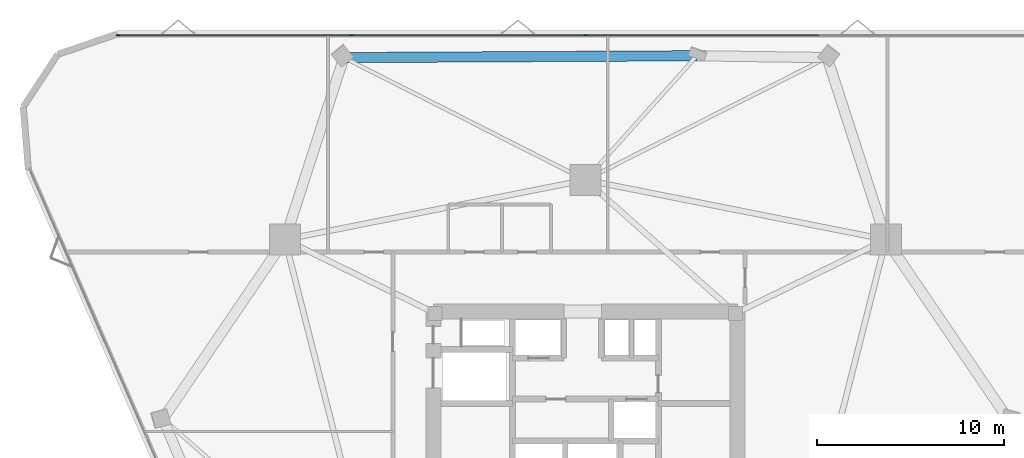
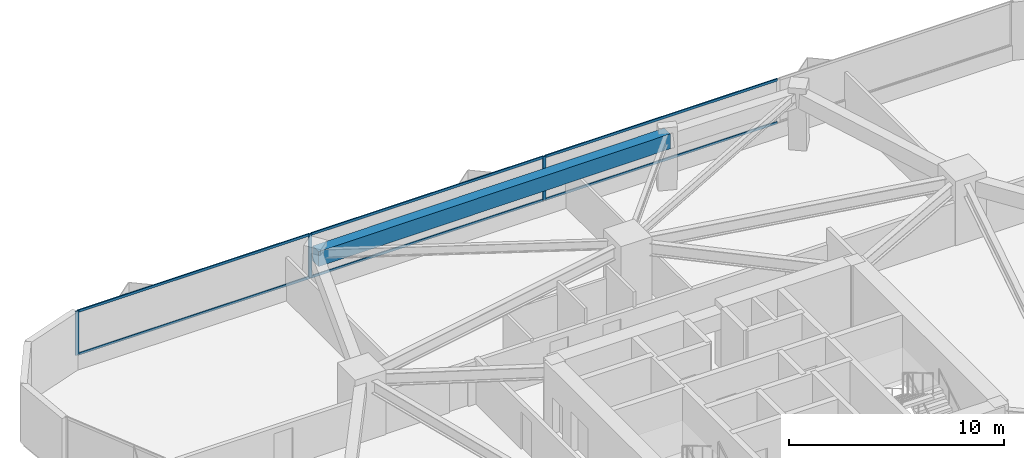
# One storey, part 7 of 14: 9 members, 1 beam, 1 element without a shape of its own.
"""IFC4 building model written with IfcOpenShell, lengths in metres."""

from ifc_helpers import new_model, si_unit, direction, frame, origin, origin_2d, place, context, subcontext, project, spatial, rectangle, extrude, material, layer, layer_set, material_profile, profile_set, type_object, element, aggregate, save


model = new_model("IFC4")

# Units and contexts
model_context = context("Model", 3, precision=1e-05, world=origin(), true_north=direction((0.0, 1.0)))
body_context = subcontext(model_context, "Body", "Model", "MODEL_VIEW")
ifc_project = project(units=[si_unit("LENGTHUNIT", "METRE"), si_unit("AREAUNIT", "SQUARE_METRE"), si_unit("VOLUMEUNIT", "CUBIC_METRE"), si_unit("PLANEANGLEUNIT", "RADIAN"), si_unit("MASSUNIT", "GRAM", prefix="KILO")], contexts=[model_context])

# Site, building, storey
site_placement = place(None, origin())
site = spatial("IfcSite", under=ifc_project, at=site_placement, CompositionType="ELEMENT")
building_placement = place(site_placement, origin())
building = spatial("IfcBuilding", under=site, at=building_placement, Name="Talyreon Biosciences Tower", CompositionType="ELEMENT")
storey_placement = place(building_placement, frame((0.0, 0.0, 115.14990234375)))
storey = spatial("IfcBuildingStorey", under=building, at=storey_placement, Name="L30", CompositionType="ELEMENT", Elevation=115.14990234375)

# Curtain wall, members
ifc_material_1 = material(Name="Thermally broken aluminium and low-E glazing", Category="aluminium")
ifc_layer = layer(ifc_material_1, 0.18994140625)
ifc_layer_set = layer_set([ifc_layer], Name="Thermally broken aluminium and low-E glazing")
curtain_wall_type = type_object("IfcCurtainWallType", Name="CurtainWall_Zone2Genomics", PredefinedType="NOTDEFINED", material=ifc_layer_set)
curtain_wall_placement = place(storey_placement, origin())
curtain_wall = element("IfcCurtainWall", 1, at=curtain_wall_placement, inside=storey, type_object=curtain_wall_type, Name="L30 Unitised Curtain Wall FCW-L30-04", PredefinedType="NOTDEFINED")
ifc_material_2 = material(Name="Anodised thermally broken aluminium", Category="aluminium")
ifc_material_profile_1 = material_profile(ifc_material_2, rectangle(XDim=0.06494140625, YDim=0.179931640625, at=origin_2d()), Name="ALUM MULLION 65x180")
ifc_profile_set_1 = profile_set([ifc_material_profile_1], Name="Anodised thermally broken aluminium")
member_type_1 = type_object("IfcMemberType", Name="CWMullion_65x180", PredefinedType="MULLION", material=ifc_profile_set_1)
member_1_placement = place(storey_placement, frame((40.944091796875, 89.539794921875, 0.81005859375), z_axis=(0.0, 0.0, 1.0), x_axis=(0.0, 1.0, 0.0)))
member_1 = element("IfcMember", 2, at=member_1_placement, type_object=member_type_1, Name="CW3 mullion 1", PredefinedType="MULLION", context=body_context, shape_type="SweptSolid", body=[
    extrude(rectangle(XDim=0.06494140625, YDim=0.179931640625, at=origin_2d()), origin(), (0.0, 0.0, 1.0), 2.489990234375),
])
member_2_placement = place(storey_placement, frame((53.455810546875, 89.539794921875, 0.81005859375), z_axis=(0.0, 0.0, 1.0), x_axis=(0.0, 1.0, 0.0)))
member_2 = element("IfcMember", 3, at=member_2_placement, type_object=member_type_1, Name="CW3 mullion 2", PredefinedType="MULLION", context=body_context, shape_type="SweptSolid", body=[
    extrude(rectangle(XDim=0.06494140625, YDim=0.179931640625, at=origin_2d()), origin(), (0.0, 0.0, 1.0), 2.489990234375),
])
member_3_placement = place(storey_placement, frame((66.0, 89.539794921875, 0.81005859375), z_axis=(0.0, 0.0, 1.0), x_axis=(0.0, 1.0, 0.0)))
member_3 = element("IfcMember", 4, at=member_3_placement, type_object=member_type_1, Name="CW3 mullion 3", PredefinedType="MULLION", context=body_context, shape_type="SweptSolid", body=[
    extrude(rectangle(XDim=0.06494140625, YDim=0.179931640625, at=origin_2d()), origin(), (0.0, 0.0, 1.0), 2.489990234375),
])
ifc_material_profile_2 = material_profile(ifc_material_2, rectangle(XDim=0.06494140625, YDim=0.139892578125, at=origin_2d()), Name="ALUM TRANSOM 65x140")
ifc_profile_set_2 = profile_set([ifc_material_profile_2], Name="Anodised thermally broken aluminium")
member_type_2 = type_object("IfcMemberType", Name="CWTransom_65x140", PredefinedType="USERDEFINED", material=ifc_profile_set_2)
member_4_placement = place(storey_placement, frame((40.9765625, 89.539794921875, 0.842529296875), z_axis=(1.0, 0.0, 0.0), x_axis=(0.0, 1.0, 0.0)))
member_4 = element("IfcMember", 5, at=member_4_placement, type_object=member_type_2, Name="CW3 transom 1.1", ObjectType="TRANSOM", PredefinedType="USERDEFINED", context=body_context, shape_type="SweptSolid", body=[
    extrude(rectangle(XDim=0.06494140625, YDim=0.139892578125, at=origin_2d()), origin(), (0.0, 0.0, 1.0), 12.44677734375),
])
member_5_placement = place(storey_placement, frame((40.9765625, 89.539794921875, 3.267578125), z_axis=(1.0, 0.0, 0.0), x_axis=(0.0, 1.0, 0.0)))
member_5 = element("IfcMember", 6, at=member_5_placement, type_object=member_type_2, Name="CW3 transom 1.2", ObjectType="TRANSOM", PredefinedType="USERDEFINED", context=body_context, shape_type="SweptSolid", body=[
    extrude(rectangle(XDim=0.06494140625, YDim=0.139892578125, at=origin_2d()), origin(), (0.0, 0.0, 1.0), 12.44677734375),
])
member_6_placement = place(storey_placement, frame((53.48828125, 89.539794921875, 0.842529296875), z_axis=(1.0, 0.0, 0.0), x_axis=(0.0, 1.0, 0.0)))
member_6 = element("IfcMember", 7, at=member_6_placement, type_object=member_type_2, Name="CW3 transom 2.1", ObjectType="TRANSOM", PredefinedType="USERDEFINED", context=body_context, shape_type="SweptSolid", body=[
    extrude(rectangle(XDim=0.06494140625, YDim=0.139892578125, at=origin_2d()), origin(), (0.0, 0.0, 1.0), 12.479248046875),
])
member_7_placement = place(storey_placement, frame((53.48828125, 89.539794921875, 3.267578125), z_axis=(1.0, 0.0, 0.0), x_axis=(0.0, 1.0, 0.0)))
member_7 = element("IfcMember", 8, at=member_7_placement, type_object=member_type_2, Name="CW3 transom 2.2", ObjectType="TRANSOM", PredefinedType="USERDEFINED", context=body_context, shape_type="SweptSolid", body=[
    extrude(rectangle(XDim=0.06494140625, YDim=0.139892578125, at=origin_2d()), origin(), (0.0, 0.0, 1.0), 12.479248046875),
])
member_8_placement = place(storey_placement, frame((66.032470703125, 89.539794921875, 0.842529296875), z_axis=(1.0, 0.0, 0.0), x_axis=(0.0, 1.0, 0.0)))
member_8 = element("IfcMember", 9, at=member_8_placement, type_object=member_type_2, Name="CW3 transom 3.1", ObjectType="TRANSOM", PredefinedType="USERDEFINED", context=body_context, shape_type="SweptSolid", body=[
    extrude(rectangle(XDim=0.06494140625, YDim=0.139892578125, at=origin_2d()), origin(), (0.0, 0.0, 1.0), 12.479248046875),
])
member_9_placement = place(storey_placement, frame((66.032470703125, 89.539794921875, 3.267578125), z_axis=(1.0, 0.0, 0.0), x_axis=(0.0, 1.0, 0.0)))
member_9 = element("IfcMember", 10, at=member_9_placement, type_object=member_type_2, Name="CW3 transom 3.2", ObjectType="TRANSOM", PredefinedType="USERDEFINED", context=body_context, shape_type="SweptSolid", body=[
    extrude(rectangle(XDim=0.06494140625, YDim=0.139892578125, at=origin_2d()), origin(), (0.0, 0.0, 1.0), 12.479248046875),
])
aggregate(curtain_wall, [member_1, member_2, member_3, member_4, member_5, member_6, member_7, member_8, member_9])

# Beam
ifc_material_3 = material(Name="Precast concrete C45/55", Category="concrete")
ifc_material_profile_3 = material_profile(ifc_material_3, rectangle(XDim=0.550048828125, YDim=0.85009765625, at=origin_2d()), Name="RCB 550x850")
ifc_profile_set_3 = profile_set([ifc_material_profile_3], Name="Precast concrete C45/55")
beam_type = type_object("IfcBeamType", Name="ExpressedSpandrel_550x850", PredefinedType="SPANDREL", material=ifc_profile_set_3)
beam_placement = place(storey_placement, frame((71.97607421875, 88.447509765625, 2.875), z_axis=(-0.999986079384, -0.005276460806, 0.0), x_axis=(0.005276460806, -0.999986079384, 0.0)))
element("IfcBeam", 11, at=beam_placement, inside=storey, type_object=beam_type, Name="L30 Expressed Horizontal Concrete Spandrel 07", PredefinedType="SPANDREL", context=body_context, shape_type="SweptSolid", body=[
    extrude(rectangle(XDim=0.550048828125, YDim=0.85009765625, at=origin_2d()), origin(), (0.0, 0.0, 1.0), 18.92431640625),
])

save(model, "model.ifc")
